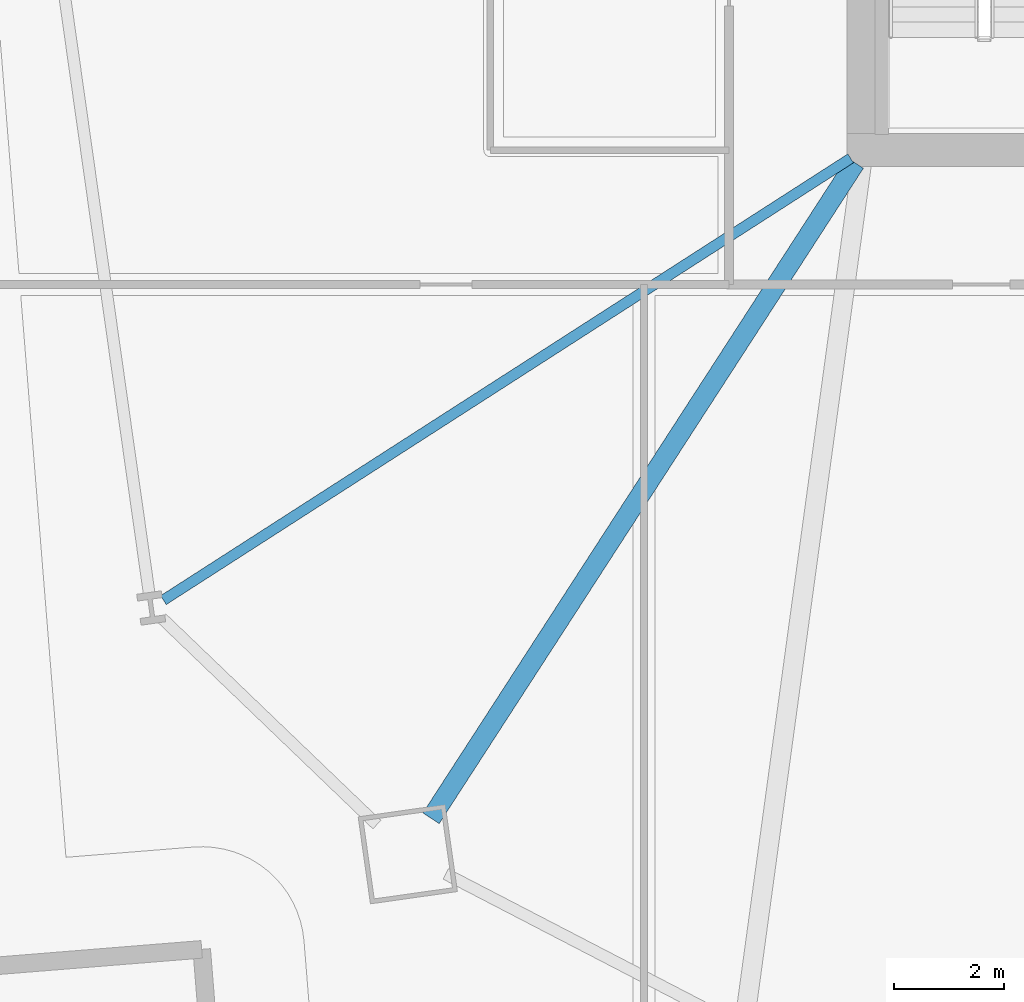
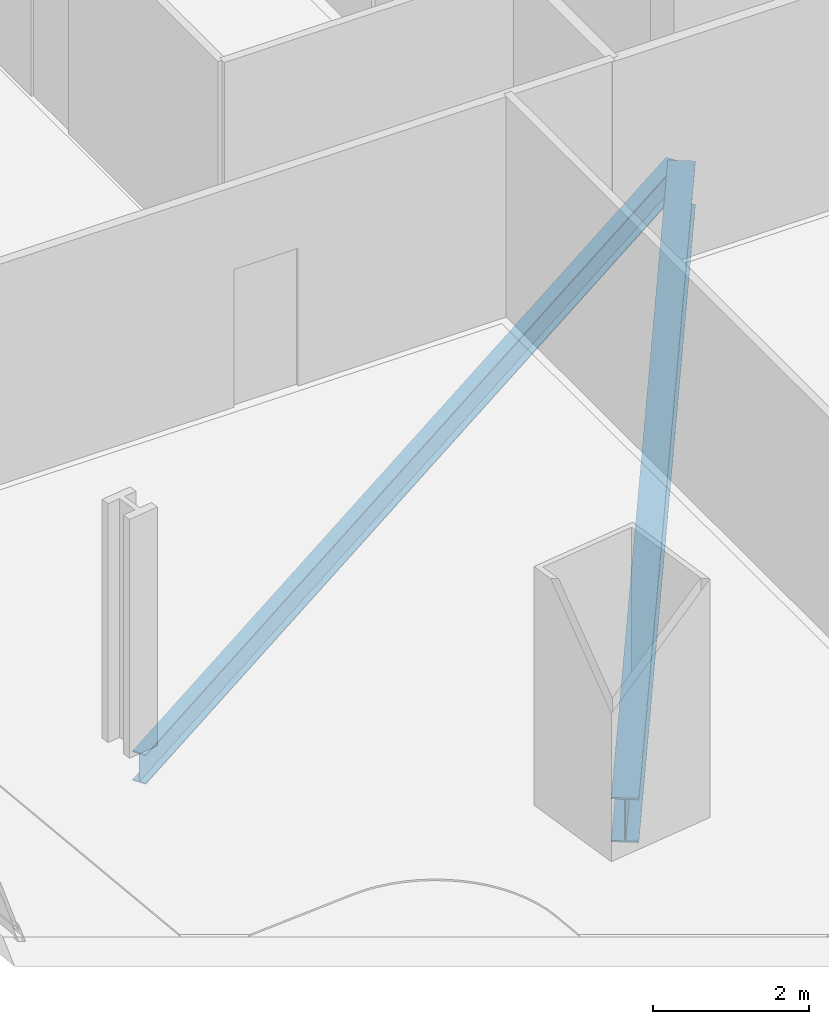
# One storey, part 4 of 33: 2 beams.
"""IFC4 building model written with IfcOpenShell, lengths in metres."""

from ifc_helpers import new_model, si_unit, direction, frame, origin, origin_2d, place, context, subcontext, project, spatial, i_section, extrude, material, material_profile, profile_set, type_object, element, save


model = new_model("IFC4")

# Units and contexts
model_context = context("Model", 3, precision=1e-05, world=origin(), true_north=direction((0.0, 1.0)))
body_context = subcontext(model_context, "Body", "Model", "MODEL_VIEW")
ifc_project = project(units=[si_unit("LENGTHUNIT", "METRE"), si_unit("AREAUNIT", "SQUARE_METRE"), si_unit("VOLUMEUNIT", "CUBIC_METRE"), si_unit("PLANEANGLEUNIT", "RADIAN"), si_unit("MASSUNIT", "GRAM", prefix="KILO")], contexts=[model_context])

# Site, building, storey
site_placement = place(None, origin())
site = spatial("IfcSite", under=ifc_project, at=site_placement, CompositionType="ELEMENT")
building_placement = place(site_placement, origin())
building = spatial("IfcBuilding", under=site, at=building_placement, Name="Haldenkirk Collegiate Tower", CompositionType="ELEMENT")
storey_placement = place(building_placement, frame((0.0, 0.0, 43.949951171875)))
storey = spatial("IfcBuildingStorey", under=building, at=storey_placement, Name="L09", CompositionType="ELEMENT", Elevation=43.949951171875)

# Beams
ifc_material = material(Name="Steel ASTM A992 Grade 50", Category="steel")
ifc_material_profile_1 = material_profile(ifc_material, i_section(OverallWidth=0.35498046875, OverallDepth=0.696044921875, WebThickness=0.015380859375, FlangeThickness=0.02490234375, at=origin_2d()), Name="W27X146")
ifc_profile_set_1 = profile_set([ifc_material_profile_1], Name="Steel ASTM A992 Grade 50")
beam_type_1 = type_object("IfcBeamType", Name="BM-GIRDER-W27X146", PredefinedType="BEAM", material=ifc_profile_set_1)
beam_1_placement = place(storey_placement, frame((19.1201171875, 5.826416015625, -0.657958984375), z_axis=(0.54339434448, 0.839477567531, 0.0), x_axis=(-0.839477567531, 0.54339434448, 0.0)))
element("IfcBeam", 1, at=beam_1_placement, inside=storey, type_object=beam_type_1, Name="L09 primary floor girder 01", PredefinedType="BEAM", context=body_context, shape_type="SweptSolid", body=[
    extrude(i_section(OverallWidth=0.35498046875, OverallDepth=0.696044921875, WebThickness=0.015380859375, FlangeThickness=0.02490234375, at=origin_2d()), origin(), (0.0, 0.0, 1.0), 14.221435546875),
])
ifc_material_profile_2 = material_profile(ifc_material, i_section(OverallWidth=0.19189453125, OverallDepth=0.462890625, WebThickness=0.010498046875, FlangeThickness=0.017578125, at=origin_2d()), Name="W18X60")
ifc_profile_set_2 = profile_set([ifc_material_profile_2], Name="Steel ASTM A992 Grade 50")
beam_type_2 = type_object("IfcBeamType", Name="BM-JOIST-W18X60", PredefinedType="JOIST", material=ifc_profile_set_2)
beam_2_placement = place(storey_placement, frame((14.244384765625, 9.80029296875, -0.54150390625), z_axis=(0.841185936654, 0.540745984707, 0.0), x_axis=(-0.540745984707, 0.841185936654, 0.0)))
element("IfcBeam", 2, at=beam_2_placement, inside=storey, type_object=beam_type_2, Name="L09 composite floor joist 16", PredefinedType="JOIST", context=body_context, shape_type="SweptSolid", body=[
    extrude(i_section(OverallWidth=0.19189453125, OverallDepth=0.462890625, WebThickness=0.010498046875, FlangeThickness=0.017578125, at=origin_2d()), origin(), (0.0, 0.0, 1.0), 14.8837890625),
])

save(model, "model.ifc")
